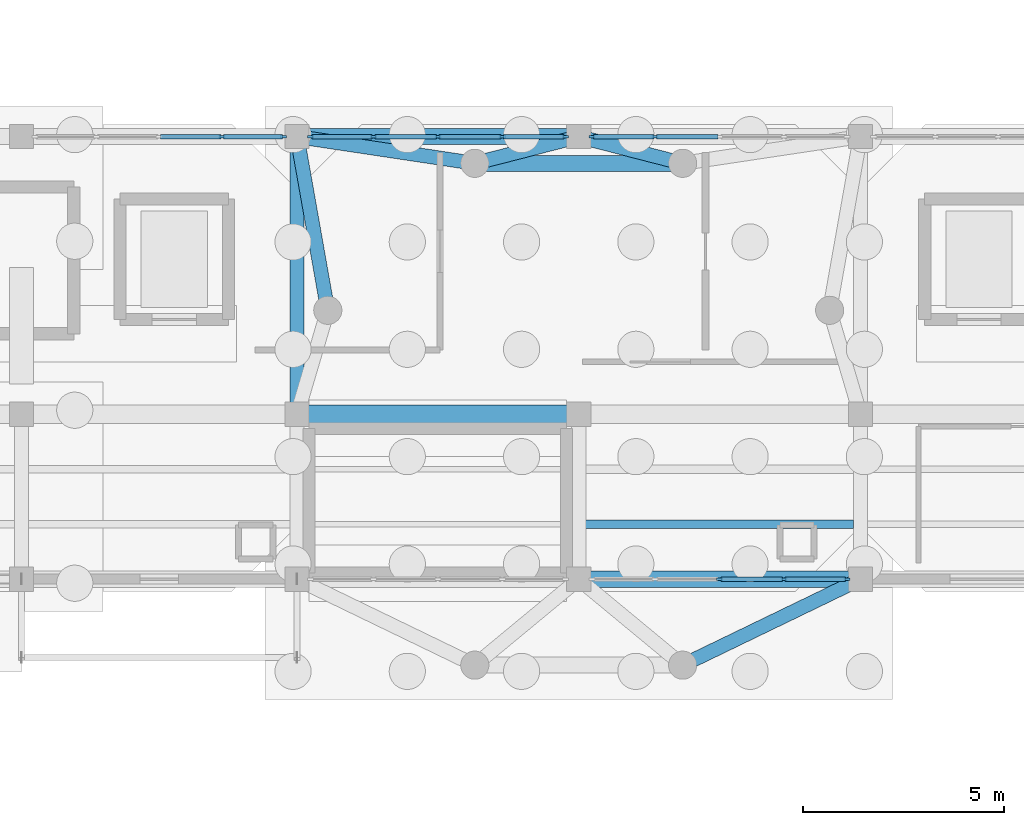
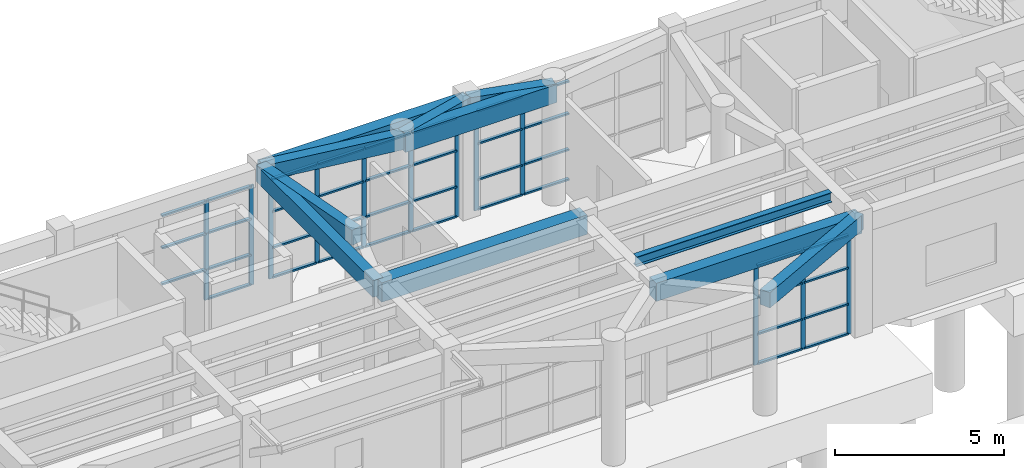
# One storey, part 11 of 41: 51 members, 11 beams, 4 elements without a shape of their own.
"""IFC4 building model written with IfcOpenShell, lengths in metres."""

from ifc_helpers import new_model, si_unit, direction, frame, origin, origin_2d, place, context, subcontext, project, spatial, rectangle, i_section, extrude, material, layer, layer_set, material_profile, profile_set, type_object, element, aggregate, save


model = new_model("IFC4")

# Units and contexts
model_context = context("Model", 3, precision=1e-05, world=origin(), true_north=direction((0.0, 1.0)))
body_context = subcontext(model_context, "Body", "Model", "MODEL_VIEW")
ifc_project = project(units=[si_unit("LENGTHUNIT", "METRE"), si_unit("AREAUNIT", "SQUARE_METRE"), si_unit("VOLUMEUNIT", "CUBIC_METRE"), si_unit("PLANEANGLEUNIT", "RADIAN"), si_unit("MASSUNIT", "GRAM", prefix="KILO")], contexts=[model_context])

# Site, building, storey
site_placement = place(None, origin())
site = spatial("IfcSite", under=ifc_project, at=site_placement, CompositionType="ELEMENT")
building_placement = place(site_placement, origin())
building = spatial("IfcBuilding", under=site, at=building_placement, Name="Candilejo Ridge Gondola Terminal", CompositionType="ELEMENT")
storey_placement = place(building_placement, origin())
storey = spatial("IfcBuildingStorey", under=building, at=storey_placement, Name="L00", CompositionType="ELEMENT", Elevation=0.0)

# Curtain wall, members
ifc_material_1 = material(Name="Anodised aluminium AA 6063-T6", Category="aluminium")
ifc_layer_1 = layer(ifc_material_1, 0.169921875)
ifc_layer_set_1 = layer_set([ifc_layer_1], Name="ARC-CW-DRUM-3400-625X359")
curtain_wall_type_1 = type_object("IfcCurtainWallType", Name="ARC-CW-DRUM-3400-625X359", PredefinedType="NOTDEFINED", material=ifc_layer_set_1)
curtain_wall_1_placement = place(storey_placement, origin())
curtain_wall_1 = element("IfcCurtainWall", 1, at=curtain_wall_1_placement, inside=storey, type_object=curtain_wall_type_1, Name="Curtain wall V2 L00-028", PredefinedType="NOTDEFINED")
ifc_material_2 = material(Name="Anodised aluminium AA 6063-T6", Category="aluminium")
ifc_material_profile_1 = material_profile(ifc_material_2, rectangle(XDim=0.06494140625, YDim=0.14990234375, at=origin_2d()))
ifc_profile_set_1 = profile_set([ifc_material_profile_1], Name="Anodised aluminium AA 6063-T6")
member_type_1 = type_object("IfcMemberType", Name="ARC-CW-MULLION-150", PredefinedType="MULLION", material=ifc_profile_set_1)
member_1_placement = place(storey_placement, frame((56.487548828125, 36.699951171875, 0.0), z_axis=(0.0, 0.0, 1.0), x_axis=(0.0, 1.0, 0.0)))
member_1 = element("IfcMember", 2, at=member_1_placement, type_object=member_type_1, Name="CW-62X35 mullion 4", PredefinedType="MULLION", context=body_context, shape_type="SweptSolid", body=[
    extrude(rectangle(XDim=0.06494140625, YDim=0.14990234375, at=origin_2d()), origin(), (0.0, 0.0, 1.0), 3.590087890625),
])
member_2_placement = place(storey_placement, frame((58.017578125, 36.699951171875, 0.0), z_axis=(0.0, 0.0, 1.0), x_axis=(0.0, 1.0, 0.0)))
member_2 = element("IfcMember", 3, at=member_2_placement, type_object=member_type_1, Name="CW-62X35 mullion 5", PredefinedType="MULLION", context=body_context, shape_type="SweptSolid", body=[
    extrude(rectangle(XDim=0.06494140625, YDim=0.14990234375, at=origin_2d()), origin(), (0.0, 0.0, 1.0), 3.590087890625),
])

ifc_material_3 = material(Name="Anodised aluminium AA 6063-T6", Category="aluminium")
ifc_layer_2 = layer(ifc_material_3, 0.169921875)
ifc_layer_set_2 = layer_set([ifc_layer_2], Name="ARC-CW-DRUM-3400-640X359")
curtain_wall_type_2 = type_object("IfcCurtainWallType", Name="ARC-CW-DRUM-3400-640X359", PredefinedType="NOTDEFINED", material=ifc_layer_set_2)
curtain_wall_2_placement = place(storey_placement, origin())
curtain_wall_2 = element("IfcCurtainWall", 4, at=curtain_wall_2_placement, inside=storey, type_object=curtain_wall_type_2, Name="Curtain wall V2 L00-029", PredefinedType="NOTDEFINED")
member_3_placement = place(storey_placement, frame((58.6826171875, 36.699951171875, 0.0), z_axis=(0.0, 0.0, 1.0), x_axis=(0.0, 1.0, 0.0)))
member_3 = element("IfcMember", 5, at=member_3_placement, type_object=member_type_1, Name="CW-64X35 mullion 1", PredefinedType="MULLION", context=body_context, shape_type="SweptSolid", body=[
    extrude(rectangle(XDim=0.06494140625, YDim=0.14990234375, at=origin_2d()), origin(), (0.0, 0.0, 1.0), 3.590087890625),
])
member_4_placement = place(storey_placement, frame((60.25, 36.699951171875, 0.0), z_axis=(0.0, 0.0, 1.0), x_axis=(0.0, 1.0, 0.0)))
member_4 = element("IfcMember", 6, at=member_4_placement, type_object=member_type_1, Name="CW-64X35 mullion 2", PredefinedType="MULLION", context=body_context, shape_type="SweptSolid", body=[
    extrude(rectangle(XDim=0.06494140625, YDim=0.14990234375, at=origin_2d()), origin(), (0.0, 0.0, 1.0), 3.590087890625),
])
member_5_placement = place(storey_placement, frame((61.85009765625, 36.699951171875, 0.0), z_axis=(0.0, 0.0, 1.0), x_axis=(0.0, 1.0, 0.0)))
member_5 = element("IfcMember", 7, at=member_5_placement, type_object=member_type_1, Name="CW-64X35 mullion 3", PredefinedType="MULLION", context=body_context, shape_type="SweptSolid", body=[
    extrude(rectangle(XDim=0.06494140625, YDim=0.14990234375, at=origin_2d()), origin(), (0.0, 0.0, 1.0), 3.590087890625),
])
member_6_placement = place(storey_placement, frame((63.449951171875, 36.699951171875, 0.0), z_axis=(0.0, 0.0, 1.0), x_axis=(0.0, 1.0, 0.0)))
member_6 = element("IfcMember", 8, at=member_6_placement, type_object=member_type_1, Name="CW-64X35 mullion 4", PredefinedType="MULLION", context=body_context, shape_type="SweptSolid", body=[
    extrude(rectangle(XDim=0.06494140625, YDim=0.14990234375, at=origin_2d()), origin(), (0.0, 0.0, 1.0), 3.590087890625),
])
member_7_placement = place(storey_placement, frame((65.017578125, 36.699951171875, 0.0), z_axis=(0.0, 0.0, 1.0), x_axis=(0.0, 1.0, 0.0)))
member_7 = element("IfcMember", 9, at=member_7_placement, type_object=member_type_1, Name="CW-64X35 mullion 5", PredefinedType="MULLION", context=body_context, shape_type="SweptSolid", body=[
    extrude(rectangle(XDim=0.06494140625, YDim=0.14990234375, at=origin_2d()), origin(), (0.0, 0.0, 1.0), 3.590087890625),
])

curtain_wall_3_placement = place(storey_placement, origin())
curtain_wall_3 = element("IfcCurtainWall", 10, at=curtain_wall_3_placement, inside=storey, type_object=curtain_wall_type_2, Name="Curtain wall V2 L00-031", PredefinedType="NOTDEFINED")
member_8_placement = place(storey_placement, frame((65.6826171875, 36.699951171875, 0.0), z_axis=(0.0, 0.0, 1.0), x_axis=(0.0, 1.0, 0.0)))
member_8 = element("IfcMember", 11, at=member_8_placement, type_object=member_type_1, Name="CW-64X35 mullion 1", PredefinedType="MULLION", context=body_context, shape_type="SweptSolid", body=[
    extrude(rectangle(XDim=0.06494140625, YDim=0.14990234375, at=origin_2d()), origin(), (0.0, 0.0, 1.0), 3.590087890625),
])
member_9_placement = place(storey_placement, frame((67.25, 36.699951171875, 0.0), z_axis=(0.0, 0.0, 1.0), x_axis=(0.0, 1.0, 0.0)))
member_9 = element("IfcMember", 12, at=member_9_placement, type_object=member_type_1, Name="CW-64X35 mullion 2", PredefinedType="MULLION", context=body_context, shape_type="SweptSolid", body=[
    extrude(rectangle(XDim=0.06494140625, YDim=0.14990234375, at=origin_2d()), origin(), (0.0, 0.0, 1.0), 3.590087890625),
])

curtain_wall_4_placement = place(storey_placement, origin())
curtain_wall_4 = element("IfcCurtainWall", 13, at=curtain_wall_4_placement, inside=storey, type_object=curtain_wall_type_2, Name="Curtain wall V2 L00-032", PredefinedType="NOTDEFINED")
member_10_placement = place(storey_placement, frame((68.85009765625, 25.699951171875, 0.0), z_axis=(0.0, 0.0, 1.0), x_axis=(0.0, 1.0, 0.0)))
member_10 = element("IfcMember", 14, at=member_10_placement, type_object=member_type_1, Name="CW-64X35 mullion 3", PredefinedType="MULLION", context=body_context, shape_type="SweptSolid", body=[
    extrude(rectangle(XDim=0.06494140625, YDim=0.14990234375, at=origin_2d()), origin(), (0.0, 0.0, 1.0), 3.590087890625),
])
member_11_placement = place(storey_placement, frame((70.449951171875, 25.699951171875, 0.0), z_axis=(0.0, 0.0, 1.0), x_axis=(0.0, 1.0, 0.0)))
member_11 = element("IfcMember", 15, at=member_11_placement, type_object=member_type_1, Name="CW-64X35 mullion 4", PredefinedType="MULLION", context=body_context, shape_type="SweptSolid", body=[
    extrude(rectangle(XDim=0.06494140625, YDim=0.14990234375, at=origin_2d()), origin(), (0.0, 0.0, 1.0), 3.590087890625),
])
member_12_placement = place(storey_placement, frame((72.017578125, 25.699951171875, 0.0), z_axis=(0.0, 0.0, 1.0), x_axis=(0.0, 1.0, 0.0)))
member_12 = element("IfcMember", 16, at=member_12_placement, type_object=member_type_1, Name="CW-64X35 mullion 5", PredefinedType="MULLION", context=body_context, shape_type="SweptSolid", body=[
    extrude(rectangle(XDim=0.06494140625, YDim=0.14990234375, at=origin_2d()), origin(), (0.0, 0.0, 1.0), 3.590087890625),
])

# Member
ifc_material_4 = material(Name="Anodised aluminium AA 6063-T6", Category="aluminium")
ifc_material_profile_2 = material_profile(ifc_material_4, rectangle(XDim=0.110107421875, YDim=0.06005859375, at=origin_2d()))
ifc_profile_set_2 = profile_set([ifc_material_profile_2], Name="Anodised aluminium AA 6063-T6")
member_type_2 = type_object("IfcMemberType", Name="ARC-CW-TRANSOM-110", PredefinedType="USERDEFINED", material=ifc_profile_set_2)
member_13_placement = place(storey_placement, frame((54.95751953125, 36.699951171875, 1.10009765625), z_axis=(1.0, 0.0, 0.0), x_axis=(0.0, 1.0, 0.0)))
member_13 = element("IfcMember", 17, at=member_13_placement, type_object=member_type_2, Name="CW-62X35 transom 3.2", ObjectType="TRANSOM", PredefinedType="USERDEFINED", context=body_context, shape_type="SweptSolid", body=[
    extrude(rectangle(XDim=0.110107421875, YDim=0.06005859375, at=origin_2d()), origin(), (0.0, 0.0, 1.0), 1.49755859375),
])

member_14_placement = place(storey_placement, frame((54.95751953125, 36.699951171875, 2.39990234375), z_axis=(1.0, 0.0, 0.0), x_axis=(0.0, 1.0, 0.0)))
member_14 = element("IfcMember", 18, at=member_14_placement, type_object=member_type_2, Name="CW-62X35 transom 3.3", ObjectType="TRANSOM", PredefinedType="USERDEFINED", context=body_context, shape_type="SweptSolid", body=[
    extrude(rectangle(XDim=0.110107421875, YDim=0.06005859375, at=origin_2d()), origin(), (0.0, 0.0, 1.0), 1.49755859375),
])

member_15_placement = place(storey_placement, frame((54.95751953125, 36.699951171875, 3.56005859375), z_axis=(1.0, 0.0, 0.0), x_axis=(0.0, 1.0, 0.0)))
member_15 = element("IfcMember", 19, at=member_15_placement, type_object=member_type_2, Name="CW-62X35 transom 3.4", ObjectType="TRANSOM", PredefinedType="USERDEFINED", context=body_context, shape_type="SweptSolid", body=[
    extrude(rectangle(XDim=0.110107421875, YDim=0.06005859375, at=origin_2d()), origin(), (0.0, 0.0, 1.0), 1.49755859375),
])

member_16_placement = place(storey_placement, frame((56.52001953125, 36.699951171875, 0.030029296875), z_axis=(1.0, 0.0, 0.0), x_axis=(0.0, 1.0, 0.0)))
member_16 = element("IfcMember", 20, at=member_16_placement, type_object=member_type_2, Name="CW-62X35 transom 4.1", ObjectType="TRANSOM", PredefinedType="USERDEFINED", context=body_context, shape_type="SweptSolid", body=[
    extrude(rectangle(XDim=0.110107421875, YDim=0.06005859375, at=origin_2d()), origin(), (0.0, 0.0, 1.0), 1.465087890625),
])

member_17_placement = place(storey_placement, frame((56.52001953125, 36.699951171875, 1.10009765625), z_axis=(1.0, 0.0, 0.0), x_axis=(0.0, 1.0, 0.0)))
member_17 = element("IfcMember", 21, at=member_17_placement, type_object=member_type_2, Name="CW-62X35 transom 4.2", ObjectType="TRANSOM", PredefinedType="USERDEFINED", context=body_context, shape_type="SweptSolid", body=[
    extrude(rectangle(XDim=0.110107421875, YDim=0.06005859375, at=origin_2d()), origin(), (0.0, 0.0, 1.0), 1.465087890625),
])

member_18_placement = place(storey_placement, frame((56.52001953125, 36.699951171875, 2.39990234375), z_axis=(1.0, 0.0, 0.0), x_axis=(0.0, 1.0, 0.0)))
member_18 = element("IfcMember", 22, at=member_18_placement, type_object=member_type_2, Name="CW-62X35 transom 4.3", ObjectType="TRANSOM", PredefinedType="USERDEFINED", context=body_context, shape_type="SweptSolid", body=[
    extrude(rectangle(XDim=0.110107421875, YDim=0.06005859375, at=origin_2d()), origin(), (0.0, 0.0, 1.0), 1.465087890625),
])

member_19_placement = place(storey_placement, frame((56.52001953125, 36.699951171875, 3.56005859375), z_axis=(1.0, 0.0, 0.0), x_axis=(0.0, 1.0, 0.0)))
member_19 = element("IfcMember", 23, at=member_19_placement, type_object=member_type_2, Name="CW-62X35 transom 4.4", ObjectType="TRANSOM", PredefinedType="USERDEFINED", context=body_context, shape_type="SweptSolid", body=[
    extrude(rectangle(XDim=0.110107421875, YDim=0.06005859375, at=origin_2d()), origin(), (0.0, 0.0, 1.0), 1.465087890625),
])

aggregate(curtain_wall_1, [member_1, member_2, member_13, member_14, member_15, member_16, member_17, member_18, member_19])

member_20_placement = place(storey_placement, frame((58.715087890625, 36.699951171875, 0.030029296875), z_axis=(1.0, 0.0, 0.0), x_axis=(0.0, 1.0, 0.0)))
member_20 = element("IfcMember", 24, at=member_20_placement, type_object=member_type_2, Name="CW-64X35 transom 1.1", ObjectType="TRANSOM", PredefinedType="USERDEFINED", context=body_context, shape_type="SweptSolid", body=[
    extrude(rectangle(XDim=0.110107421875, YDim=0.06005859375, at=origin_2d()), origin(), (0.0, 0.0, 1.0), 1.50244140625),
])

member_21_placement = place(storey_placement, frame((58.715087890625, 36.699951171875, 1.10009765625), z_axis=(1.0, 0.0, 0.0), x_axis=(0.0, 1.0, 0.0)))
member_21 = element("IfcMember", 25, at=member_21_placement, type_object=member_type_2, Name="CW-64X35 transom 1.2", ObjectType="TRANSOM", PredefinedType="USERDEFINED", context=body_context, shape_type="SweptSolid", body=[
    extrude(rectangle(XDim=0.110107421875, YDim=0.06005859375, at=origin_2d()), origin(), (0.0, 0.0, 1.0), 1.50244140625),
])

member_22_placement = place(storey_placement, frame((58.715087890625, 36.699951171875, 2.39990234375), z_axis=(1.0, 0.0, 0.0), x_axis=(0.0, 1.0, 0.0)))
member_22 = element("IfcMember", 26, at=member_22_placement, type_object=member_type_2, Name="CW-64X35 transom 1.3", ObjectType="TRANSOM", PredefinedType="USERDEFINED", context=body_context, shape_type="SweptSolid", body=[
    extrude(rectangle(XDim=0.110107421875, YDim=0.06005859375, at=origin_2d()), origin(), (0.0, 0.0, 1.0), 1.50244140625),
])

member_23_placement = place(storey_placement, frame((58.715087890625, 36.699951171875, 3.56005859375), z_axis=(1.0, 0.0, 0.0), x_axis=(0.0, 1.0, 0.0)))
member_23 = element("IfcMember", 27, at=member_23_placement, type_object=member_type_2, Name="CW-64X35 transom 1.4", ObjectType="TRANSOM", PredefinedType="USERDEFINED", context=body_context, shape_type="SweptSolid", body=[
    extrude(rectangle(XDim=0.110107421875, YDim=0.06005859375, at=origin_2d()), origin(), (0.0, 0.0, 1.0), 1.50244140625),
])

member_24_placement = place(storey_placement, frame((60.282470703125, 36.699951171875, 0.030029296875), z_axis=(1.0, 0.0, 0.0), x_axis=(0.0, 1.0, 0.0)))
member_24 = element("IfcMember", 28, at=member_24_placement, type_object=member_type_2, Name="CW-64X35 transom 2.1", ObjectType="TRANSOM", PredefinedType="USERDEFINED", context=body_context, shape_type="SweptSolid", body=[
    extrude(rectangle(XDim=0.110107421875, YDim=0.06005859375, at=origin_2d()), origin(), (0.0, 0.0, 1.0), 1.534912109375),
])

member_25_placement = place(storey_placement, frame((60.282470703125, 36.699951171875, 1.10009765625), z_axis=(1.0, 0.0, 0.0), x_axis=(0.0, 1.0, 0.0)))
member_25 = element("IfcMember", 29, at=member_25_placement, type_object=member_type_2, Name="CW-64X35 transom 2.2", ObjectType="TRANSOM", PredefinedType="USERDEFINED", context=body_context, shape_type="SweptSolid", body=[
    extrude(rectangle(XDim=0.110107421875, YDim=0.06005859375, at=origin_2d()), origin(), (0.0, 0.0, 1.0), 1.534912109375),
])

member_26_placement = place(storey_placement, frame((60.282470703125, 36.699951171875, 2.39990234375), z_axis=(1.0, 0.0, 0.0), x_axis=(0.0, 1.0, 0.0)))
member_26 = element("IfcMember", 30, at=member_26_placement, type_object=member_type_2, Name="CW-64X35 transom 2.3", ObjectType="TRANSOM", PredefinedType="USERDEFINED", context=body_context, shape_type="SweptSolid", body=[
    extrude(rectangle(XDim=0.110107421875, YDim=0.06005859375, at=origin_2d()), origin(), (0.0, 0.0, 1.0), 1.534912109375),
])

member_27_placement = place(storey_placement, frame((60.282470703125, 36.699951171875, 3.56005859375), z_axis=(1.0, 0.0, 0.0), x_axis=(0.0, 1.0, 0.0)))
member_27 = element("IfcMember", 31, at=member_27_placement, type_object=member_type_2, Name="CW-64X35 transom 2.4", ObjectType="TRANSOM", PredefinedType="USERDEFINED", context=body_context, shape_type="SweptSolid", body=[
    extrude(rectangle(XDim=0.110107421875, YDim=0.06005859375, at=origin_2d()), origin(), (0.0, 0.0, 1.0), 1.534912109375),
])

member_28_placement = place(storey_placement, frame((61.882568359375, 36.699951171875, 0.030029296875), z_axis=(1.0, 0.0, 0.0), x_axis=(0.0, 1.0, 0.0)))
member_28 = element("IfcMember", 32, at=member_28_placement, type_object=member_type_2, Name="CW-64X35 transom 3.1", ObjectType="TRANSOM", PredefinedType="USERDEFINED", context=body_context, shape_type="SweptSolid", body=[
    extrude(rectangle(XDim=0.110107421875, YDim=0.06005859375, at=origin_2d()), origin(), (0.0, 0.0, 1.0), 1.534912109375),
])

member_29_placement = place(storey_placement, frame((61.882568359375, 36.699951171875, 1.10009765625), z_axis=(1.0, 0.0, 0.0), x_axis=(0.0, 1.0, 0.0)))
member_29 = element("IfcMember", 33, at=member_29_placement, type_object=member_type_2, Name="CW-64X35 transom 3.2", ObjectType="TRANSOM", PredefinedType="USERDEFINED", context=body_context, shape_type="SweptSolid", body=[
    extrude(rectangle(XDim=0.110107421875, YDim=0.06005859375, at=origin_2d()), origin(), (0.0, 0.0, 1.0), 1.534912109375),
])

member_30_placement = place(storey_placement, frame((61.882568359375, 36.699951171875, 2.39990234375), z_axis=(1.0, 0.0, 0.0), x_axis=(0.0, 1.0, 0.0)))
member_30 = element("IfcMember", 34, at=member_30_placement, type_object=member_type_2, Name="CW-64X35 transom 3.3", ObjectType="TRANSOM", PredefinedType="USERDEFINED", context=body_context, shape_type="SweptSolid", body=[
    extrude(rectangle(XDim=0.110107421875, YDim=0.06005859375, at=origin_2d()), origin(), (0.0, 0.0, 1.0), 1.534912109375),
])

member_31_placement = place(storey_placement, frame((61.882568359375, 36.699951171875, 3.56005859375), z_axis=(1.0, 0.0, 0.0), x_axis=(0.0, 1.0, 0.0)))
member_31 = element("IfcMember", 35, at=member_31_placement, type_object=member_type_2, Name="CW-64X35 transom 3.4", ObjectType="TRANSOM", PredefinedType="USERDEFINED", context=body_context, shape_type="SweptSolid", body=[
    extrude(rectangle(XDim=0.110107421875, YDim=0.06005859375, at=origin_2d()), origin(), (0.0, 0.0, 1.0), 1.534912109375),
])

member_32_placement = place(storey_placement, frame((63.482421875, 36.699951171875, 0.030029296875), z_axis=(1.0, 0.0, 0.0), x_axis=(0.0, 1.0, 0.0)))
member_32 = element("IfcMember", 36, at=member_32_placement, type_object=member_type_2, Name="CW-64X35 transom 4.1", ObjectType="TRANSOM", PredefinedType="USERDEFINED", context=body_context, shape_type="SweptSolid", body=[
    extrude(rectangle(XDim=0.110107421875, YDim=0.06005859375, at=origin_2d()), origin(), (0.0, 0.0, 1.0), 1.502685546875),
])

member_33_placement = place(storey_placement, frame((63.482421875, 36.699951171875, 1.10009765625), z_axis=(1.0, 0.0, 0.0), x_axis=(0.0, 1.0, 0.0)))
member_33 = element("IfcMember", 37, at=member_33_placement, type_object=member_type_2, Name="CW-64X35 transom 4.2", ObjectType="TRANSOM", PredefinedType="USERDEFINED", context=body_context, shape_type="SweptSolid", body=[
    extrude(rectangle(XDim=0.110107421875, YDim=0.06005859375, at=origin_2d()), origin(), (0.0, 0.0, 1.0), 1.502685546875),
])

member_34_placement = place(storey_placement, frame((63.482421875, 36.699951171875, 2.39990234375), z_axis=(1.0, 0.0, 0.0), x_axis=(0.0, 1.0, 0.0)))
member_34 = element("IfcMember", 38, at=member_34_placement, type_object=member_type_2, Name="CW-64X35 transom 4.3", ObjectType="TRANSOM", PredefinedType="USERDEFINED", context=body_context, shape_type="SweptSolid", body=[
    extrude(rectangle(XDim=0.110107421875, YDim=0.06005859375, at=origin_2d()), origin(), (0.0, 0.0, 1.0), 1.502685546875),
])

member_35_placement = place(storey_placement, frame((63.482421875, 36.699951171875, 3.56005859375), z_axis=(1.0, 0.0, 0.0), x_axis=(0.0, 1.0, 0.0)))
member_35 = element("IfcMember", 39, at=member_35_placement, type_object=member_type_2, Name="CW-64X35 transom 4.4", ObjectType="TRANSOM", PredefinedType="USERDEFINED", context=body_context, shape_type="SweptSolid", body=[
    extrude(rectangle(XDim=0.110107421875, YDim=0.06005859375, at=origin_2d()), origin(), (0.0, 0.0, 1.0), 1.502685546875),
])

aggregate(curtain_wall_2, [member_3, member_4, member_5, member_6, member_7, member_20, member_21, member_22, member_23, member_24, member_25, member_26, member_27, member_28, member_29, member_30, member_31, member_32, member_33, member_34, member_35])

member_36_placement = place(storey_placement, frame((65.715087890625, 36.699951171875, 0.030029296875), z_axis=(1.0, 0.0, 0.0), x_axis=(0.0, 1.0, 0.0)))
member_36 = element("IfcMember", 40, at=member_36_placement, type_object=member_type_2, Name="CW-64X35 transom 1.1", ObjectType="TRANSOM", PredefinedType="USERDEFINED", context=body_context, shape_type="SweptSolid", body=[
    extrude(rectangle(XDim=0.110107421875, YDim=0.06005859375, at=origin_2d()), origin(), (0.0, 0.0, 1.0), 1.50244140625),
])

member_37_placement = place(storey_placement, frame((65.715087890625, 36.699951171875, 1.10009765625), z_axis=(1.0, 0.0, 0.0), x_axis=(0.0, 1.0, 0.0)))
member_37 = element("IfcMember", 41, at=member_37_placement, type_object=member_type_2, Name="CW-64X35 transom 1.2", ObjectType="TRANSOM", PredefinedType="USERDEFINED", context=body_context, shape_type="SweptSolid", body=[
    extrude(rectangle(XDim=0.110107421875, YDim=0.06005859375, at=origin_2d()), origin(), (0.0, 0.0, 1.0), 1.50244140625),
])

member_38_placement = place(storey_placement, frame((65.715087890625, 36.699951171875, 2.39990234375), z_axis=(1.0, 0.0, 0.0), x_axis=(0.0, 1.0, 0.0)))
member_38 = element("IfcMember", 42, at=member_38_placement, type_object=member_type_2, Name="CW-64X35 transom 1.3", ObjectType="TRANSOM", PredefinedType="USERDEFINED", context=body_context, shape_type="SweptSolid", body=[
    extrude(rectangle(XDim=0.110107421875, YDim=0.06005859375, at=origin_2d()), origin(), (0.0, 0.0, 1.0), 1.50244140625),
])

member_39_placement = place(storey_placement, frame((65.715087890625, 36.699951171875, 3.56005859375), z_axis=(1.0, 0.0, 0.0), x_axis=(0.0, 1.0, 0.0)))
member_39 = element("IfcMember", 43, at=member_39_placement, type_object=member_type_2, Name="CW-64X35 transom 1.4", ObjectType="TRANSOM", PredefinedType="USERDEFINED", context=body_context, shape_type="SweptSolid", body=[
    extrude(rectangle(XDim=0.110107421875, YDim=0.06005859375, at=origin_2d()), origin(), (0.0, 0.0, 1.0), 1.50244140625),
])

member_40_placement = place(storey_placement, frame((67.282470703125, 36.699951171875, 0.030029296875), z_axis=(1.0, 0.0, 0.0), x_axis=(0.0, 1.0, 0.0)))
member_40 = element("IfcMember", 44, at=member_40_placement, type_object=member_type_2, Name="CW-64X35 transom 2.1", ObjectType="TRANSOM", PredefinedType="USERDEFINED", context=body_context, shape_type="SweptSolid", body=[
    extrude(rectangle(XDim=0.110107421875, YDim=0.06005859375, at=origin_2d()), origin(), (0.0, 0.0, 1.0), 1.534912109375),
])

member_41_placement = place(storey_placement, frame((67.282470703125, 36.699951171875, 1.10009765625), z_axis=(1.0, 0.0, 0.0), x_axis=(0.0, 1.0, 0.0)))
member_41 = element("IfcMember", 45, at=member_41_placement, type_object=member_type_2, Name="CW-64X35 transom 2.2", ObjectType="TRANSOM", PredefinedType="USERDEFINED", context=body_context, shape_type="SweptSolid", body=[
    extrude(rectangle(XDim=0.110107421875, YDim=0.06005859375, at=origin_2d()), origin(), (0.0, 0.0, 1.0), 1.534912109375),
])

member_42_placement = place(storey_placement, frame((67.282470703125, 36.699951171875, 2.39990234375), z_axis=(1.0, 0.0, 0.0), x_axis=(0.0, 1.0, 0.0)))
member_42 = element("IfcMember", 46, at=member_42_placement, type_object=member_type_2, Name="CW-64X35 transom 2.3", ObjectType="TRANSOM", PredefinedType="USERDEFINED", context=body_context, shape_type="SweptSolid", body=[
    extrude(rectangle(XDim=0.110107421875, YDim=0.06005859375, at=origin_2d()), origin(), (0.0, 0.0, 1.0), 1.534912109375),
])

member_43_placement = place(storey_placement, frame((67.282470703125, 36.699951171875, 3.56005859375), z_axis=(1.0, 0.0, 0.0), x_axis=(0.0, 1.0, 0.0)))
member_43 = element("IfcMember", 47, at=member_43_placement, type_object=member_type_2, Name="CW-64X35 transom 2.4", ObjectType="TRANSOM", PredefinedType="USERDEFINED", context=body_context, shape_type="SweptSolid", body=[
    extrude(rectangle(XDim=0.110107421875, YDim=0.06005859375, at=origin_2d()), origin(), (0.0, 0.0, 1.0), 1.534912109375),
])

aggregate(curtain_wall_3, [member_8, member_9, member_36, member_37, member_38, member_39, member_40, member_41, member_42, member_43])

member_44_placement = place(storey_placement, frame((68.882568359375, 25.699951171875, 0.030029296875), z_axis=(1.0, 0.0, 0.0), x_axis=(0.0, 1.0, 0.0)))
member_44 = element("IfcMember", 48, at=member_44_placement, type_object=member_type_2, Name="CW-64X35 transom 3.1", ObjectType="TRANSOM", PredefinedType="USERDEFINED", context=body_context, shape_type="SweptSolid", body=[
    extrude(rectangle(XDim=0.110107421875, YDim=0.06005859375, at=origin_2d()), origin(), (0.0, 0.0, 1.0), 1.534912109375),
])

member_45_placement = place(storey_placement, frame((68.882568359375, 25.699951171875, 1.10009765625), z_axis=(1.0, 0.0, 0.0), x_axis=(0.0, 1.0, 0.0)))
member_45 = element("IfcMember", 49, at=member_45_placement, type_object=member_type_2, Name="CW-64X35 transom 3.2", ObjectType="TRANSOM", PredefinedType="USERDEFINED", context=body_context, shape_type="SweptSolid", body=[
    extrude(rectangle(XDim=0.110107421875, YDim=0.06005859375, at=origin_2d()), origin(), (0.0, 0.0, 1.0), 1.534912109375),
])

member_46_placement = place(storey_placement, frame((68.882568359375, 25.699951171875, 2.39990234375), z_axis=(1.0, 0.0, 0.0), x_axis=(0.0, 1.0, 0.0)))
member_46 = element("IfcMember", 50, at=member_46_placement, type_object=member_type_2, Name="CW-64X35 transom 3.3", ObjectType="TRANSOM", PredefinedType="USERDEFINED", context=body_context, shape_type="SweptSolid", body=[
    extrude(rectangle(XDim=0.110107421875, YDim=0.06005859375, at=origin_2d()), origin(), (0.0, 0.0, 1.0), 1.534912109375),
])

member_47_placement = place(storey_placement, frame((68.882568359375, 25.699951171875, 3.56005859375), z_axis=(1.0, 0.0, 0.0), x_axis=(0.0, 1.0, 0.0)))
member_47 = element("IfcMember", 51, at=member_47_placement, type_object=member_type_2, Name="CW-64X35 transom 3.4", ObjectType="TRANSOM", PredefinedType="USERDEFINED", context=body_context, shape_type="SweptSolid", body=[
    extrude(rectangle(XDim=0.110107421875, YDim=0.06005859375, at=origin_2d()), origin(), (0.0, 0.0, 1.0), 1.534912109375),
])

member_48_placement = place(storey_placement, frame((70.482421875, 25.699951171875, 0.030029296875), z_axis=(1.0, 0.0, 0.0), x_axis=(0.0, 1.0, 0.0)))
member_48 = element("IfcMember", 52, at=member_48_placement, type_object=member_type_2, Name="CW-64X35 transom 4.1", ObjectType="TRANSOM", PredefinedType="USERDEFINED", context=body_context, shape_type="SweptSolid", body=[
    extrude(rectangle(XDim=0.110107421875, YDim=0.06005859375, at=origin_2d()), origin(), (0.0, 0.0, 1.0), 1.502685546875),
])

member_49_placement = place(storey_placement, frame((70.482421875, 25.699951171875, 1.10009765625), z_axis=(1.0, 0.0, 0.0), x_axis=(0.0, 1.0, 0.0)))
member_49 = element("IfcMember", 53, at=member_49_placement, type_object=member_type_2, Name="CW-64X35 transom 4.2", ObjectType="TRANSOM", PredefinedType="USERDEFINED", context=body_context, shape_type="SweptSolid", body=[
    extrude(rectangle(XDim=0.110107421875, YDim=0.06005859375, at=origin_2d()), origin(), (0.0, 0.0, 1.0), 1.502685546875),
])

member_50_placement = place(storey_placement, frame((70.482421875, 25.699951171875, 2.39990234375), z_axis=(1.0, 0.0, 0.0), x_axis=(0.0, 1.0, 0.0)))
member_50 = element("IfcMember", 54, at=member_50_placement, type_object=member_type_2, Name="CW-64X35 transom 4.3", ObjectType="TRANSOM", PredefinedType="USERDEFINED", context=body_context, shape_type="SweptSolid", body=[
    extrude(rectangle(XDim=0.110107421875, YDim=0.06005859375, at=origin_2d()), origin(), (0.0, 0.0, 1.0), 1.502685546875),
])

member_51_placement = place(storey_placement, frame((70.482421875, 25.699951171875, 3.56005859375), z_axis=(1.0, 0.0, 0.0), x_axis=(0.0, 1.0, 0.0)))
member_51 = element("IfcMember", 55, at=member_51_placement, type_object=member_type_2, Name="CW-64X35 transom 4.4", ObjectType="TRANSOM", PredefinedType="USERDEFINED", context=body_context, shape_type="SweptSolid", body=[
    extrude(rectangle(XDim=0.110107421875, YDim=0.06005859375, at=origin_2d()), origin(), (0.0, 0.0, 1.0), 1.502685546875),
])

aggregate(curtain_wall_4, [member_10, member_11, member_12, member_44, member_45, member_46, member_47, member_48, member_49, member_50, member_51])

# Beams
ifc_material_5 = material(Name="Concrete f'c 35 MPa (C35/45)", Category="concrete")
ifc_material_profile_3 = material_profile(ifc_material_5, rectangle(XDim=0.35009765625, YDim=0.550048828125, at=origin_2d()))
ifc_profile_set_3 = profile_set([ifc_material_profile_3], Name="Concrete f'c 35 MPa (C35/45)")
beam_type_1 = type_object("IfcBeamType", Name="STR-BM-RC350X550", PredefinedType="BEAM", material=ifc_profile_set_3)
beam_1_placement = place(storey_placement, frame((67.93310546875, 36.0361328125, 3.985107421875), z_axis=(-0.968527619913, 0.248906105722, 0.0), x_axis=(-0.248906105722, -0.968527619913, 0.0)))
element("IfcBeam", 56, at=beam_1_placement, inside=storey, type_object=beam_type_1, Name="Rotunda radial tie beam L00 ROT2", PredefinedType="BEAM", context=body_context, shape_type="SweptSolid", body=[
    extrude(rectangle(XDim=0.35009765625, YDim=0.550048828125, at=origin_2d()), origin(), (0.0, 0.0, 1.0), 2.6669921875),
])
beam_2_placement = place(storey_placement, frame((62.766845703125, 36.0361328125, 3.985107421875), z_axis=(0.968533290652, 0.248884039059, 0.0), x_axis=(-0.248884039059, 0.968533290652, 0.0)))
element("IfcBeam", 57, at=beam_2_placement, inside=storey, type_object=beam_type_1, Name="Rotunda radial tie beam L00 ROT3", PredefinedType="BEAM", context=body_context, shape_type="SweptSolid", body=[
    extrude(rectangle(XDim=0.35009765625, YDim=0.550048828125, at=origin_2d()), origin(), (0.0, 0.0, 1.0), 2.667236328125),
])
beam_3_placement = place(storey_placement, frame((62.766845703125, 36.0361328125, 3.985107421875), z_axis=(-0.98889341039, 0.148626454196, 0.0), x_axis=(-0.148626454196, -0.98889341039, 0.0)))
element("IfcBeam", 58, at=beam_3_placement, inside=storey, type_object=beam_type_1, Name="Rotunda radial tie beam L00 ROT3", PredefinedType="BEAM", context=body_context, shape_type="SweptSolid", body=[
    extrude(rectangle(XDim=0.35009765625, YDim=0.550048828125, at=origin_2d()), origin(), (0.0, 0.0, 1.0), 4.46630859375),
])
beam_4_placement = place(storey_placement, frame((59.11376953125, 32.383056640625, 3.985107421875), z_axis=(-0.17419832165, 0.984710589328, 0.0), x_axis=(-0.984710589328, -0.17419832165, 0.0)))
element("IfcBeam", 59, at=beam_4_placement, inside=storey, type_object=beam_type_1, Name="Rotunda radial tie beam L00 ROT4", PredefinedType="BEAM", context=body_context, shape_type="SweptSolid", body=[
    extrude(rectangle(XDim=0.35009765625, YDim=0.550048828125, at=origin_2d()), origin(), (0.0, 0.0, 1.0), 4.384033203125),
])
beam_5_placement = place(storey_placement, frame((67.93310546875, 23.563720703125, 3.985107421875), z_axis=(0.900241048505, 0.435391840284, 0.0), x_axis=(-0.435391840284, 0.900241048505, 0.0)))
element("IfcBeam", 60, at=beam_5_placement, inside=storey, type_object=beam_type_1, Name="Rotunda radial tie beam L00 ROT7", PredefinedType="BEAM", context=body_context, shape_type="SweptSolid", body=[
    extrude(rectangle(XDim=0.35009765625, YDim=0.550048828125, at=origin_2d()), origin(), (0.0, 0.0, 1.0), 4.906494140625),
])
ifc_material_6 = material(Name="Concrete f'c 35 MPa (C35/45)", Category="concrete")
ifc_material_profile_4 = material_profile(ifc_material_6, rectangle(XDim=0.35009765625, YDim=0.60009765625, at=origin_2d()))
ifc_profile_set_4 = profile_set([ifc_material_profile_4], Name="Concrete f'c 35 MPa (C35/45)")
beam_type_2 = type_object("IfcBeamType", Name="STR-BM-RC350X600", PredefinedType="BEAM", material=ifc_profile_set_4)
beam_6_placement = place(storey_placement, frame((58.35009765625, 29.800048828125, 3.9599609375), z_axis=(0.0, 1.0, 0.0), x_axis=(-1.0, 0.0, 0.0)))
element("IfcBeam", 61, at=beam_6_placement, inside=storey, type_object=beam_type_2, Name="Beam Y V2 L00 Y06-Y07@X09", PredefinedType="BEAM", context=body_context, shape_type="SweptSolid", body=[
    extrude(rectangle(XDim=0.35009765625, YDim=0.60009765625, at=origin_2d()), origin(), (0.0, 0.0, 1.0), 6.89990234375),
])
ifc_material_7 = material(Name="Concrete f'c 35 MPa (C35/45)", Category="concrete")
ifc_material_profile_5 = material_profile(ifc_material_7, rectangle(XDim=0.449951171875, YDim=0.699951171875, at=origin_2d()))
ifc_profile_set_5 = profile_set([ifc_material_profile_5], Name="Concrete f'c 35 MPa (C35/45)")
beam_type_3 = type_object("IfcBeamType", Name="STR-BM-RC450X700", PredefinedType="BEAM", material=ifc_profile_set_5)
beam_7_placement = place(storey_placement, frame((58.35009765625, 29.800048828125, 3.909912109375), z_axis=(1.0, 0.0, 0.0), x_axis=(0.0, 1.0, 0.0)))
element("IfcBeam", 62, at=beam_7_placement, inside=storey, type_object=beam_type_3, Name="Beam X V2 L00 X09-X10@Y06", PredefinedType="BEAM", context=body_context, shape_type="SweptSolid", body=[
    extrude(rectangle(XDim=0.449951171875, YDim=0.699951171875, at=origin_2d()), origin(), (0.0, 0.0, 1.0), 7.0),
])
ifc_material_8 = material(Name="Steel ASTM A992 Grade 50", Category="steel")
ifc_material_profile_6 = material_profile(ifc_material_8, i_section(OverallWidth=0.205078125, OverallDepth=0.35400390625, WebThickness=0.009521484375, FlangeThickness=0.016845703125, at=origin_2d()))
ifc_profile_set_6 = profile_set([ifc_material_profile_6], Name="Steel ASTM A992 Grade 50")
beam_type_4 = type_object("IfcBeamType", Name="STR-JST-W360X79", PredefinedType="JOIST", material=ifc_profile_set_6)
beam_8_placement = place(storey_placement, frame((65.52490234375, 27.066650390625, 4.0830078125), z_axis=(1.0, 0.0, 0.0), x_axis=(0.0, 1.0, 0.0)))
element("IfcBeam", 63, at=beam_8_placement, inside=storey, type_object=beam_type_4, Name="Composite joist V2 L00-0204", PredefinedType="JOIST", context=body_context, shape_type="SweptSolid", body=[
    extrude(i_section(OverallWidth=0.205078125, OverallDepth=0.35400390625, WebThickness=0.009521484375, FlangeThickness=0.016845703125, at=origin_2d()), origin(), (0.0, 0.0, 1.0), 6.650146484375),
])
ifc_material_9 = material(Name="Concrete f'c 35 MPa (C35/45)", Category="concrete")
ifc_material_profile_7 = material_profile(ifc_material_9, rectangle(XDim=0.39990234375, YDim=0.64990234375, at=origin_2d()))
ifc_profile_set_7 = profile_set([ifc_material_profile_7], Name="Concrete f'c 35 MPa (C35/45)")
beam_type_5 = type_object("IfcBeamType", Name="STR-SPN-RC400X650", PredefinedType="SPANDREL", material=ifc_profile_set_7)
for number, where, z_axis, x_axis, name in (
    (64, (65.35009765625, 25.699951171875, 3.93505859375), (1.0, 0.0, 0.0), (0.0, 1.0, 0.0), "Beam X V2 L00 X10-X11@Y05"),
    (65, (58.35009765625, 36.699951171875, 3.93505859375), (1.0, 0.0, 0.0), (0.0, 1.0, 0.0), "Beam X V2 L00 X09-X10@Y07"),
):
    element("IfcBeam", number, at=place(storey_placement, frame(where, z_axis=z_axis, x_axis=x_axis)), inside=storey, type_object=beam_type_5, Name=name, PredefinedType="SPANDREL", context=body_context, shape_type="SweptSolid", body=[
        extrude(rectangle(XDim=0.39990234375, YDim=0.64990234375, at=origin_2d()), origin(), (0.0, 0.0, 1.0), 7.0),
    ])
beam_9_placement = place(storey_placement, frame((67.93310546875, 36.0361328125, 3.93505859375), z_axis=(-1.0, 0.0, 0.0), x_axis=(0.0, -1.0, 0.0)))
element("IfcBeam", 66, at=beam_9_placement, inside=storey, type_object=beam_type_5, Name="Rotunda ring beam L00 ROT2-ROT3", PredefinedType="SPANDREL", context=body_context, shape_type="SweptSolid", body=[
    extrude(rectangle(XDim=0.39990234375, YDim=0.64990234375, at=origin_2d()), origin(), (0.0, 0.0, 1.0), 5.166259765625),
])

save(model, "model.ifc")
